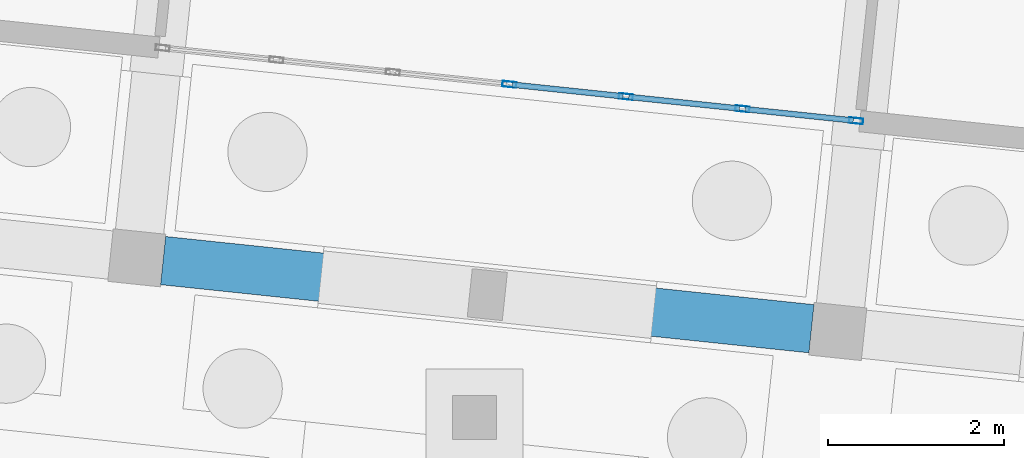
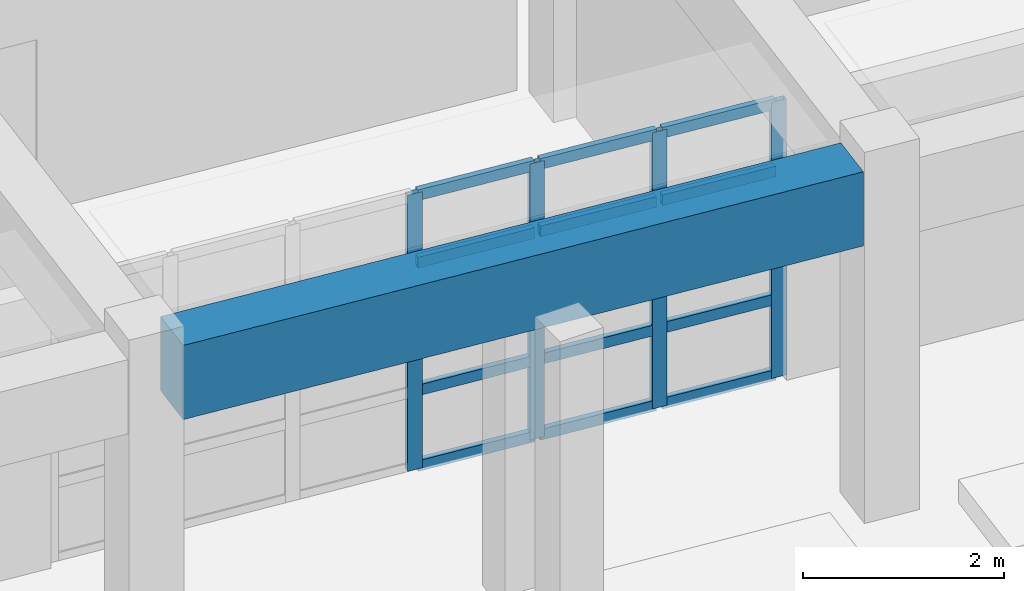
# One storey, part 76 of 154: 16 members, 1 beam, 1 element without a shape of its own.
"""IFC4 building model written with IfcOpenShell, lengths in metres."""

from ifc_helpers import new_model, si_unit, direction, frame, origin, origin_2d, place, context, subcontext, project, spatial, rectangle, hollow_rectangle, extrude, material, material_profile, profile_set, type_object, element, aggregate, save


model = new_model("IFC4")

# Units and contexts
model_context = context("Model", 3, precision=1e-05, world=origin(), true_north=direction((0.0, 1.0)))
body_context = subcontext(model_context, "Body", "Model", "MODEL_VIEW")
ifc_project = project(units=[si_unit("LENGTHUNIT", "METRE"), si_unit("AREAUNIT", "SQUARE_METRE"), si_unit("VOLUMEUNIT", "CUBIC_METRE"), si_unit("PLANEANGLEUNIT", "RADIAN"), si_unit("MASSUNIT", "GRAM", prefix="KILO")], contexts=[model_context])

# Site, building, storey
site_placement = place(None, origin())
site = spatial("IfcSite", under=ifc_project, at=site_placement, CompositionType="ELEMENT")
building_placement = place(site_placement, origin())
building = spatial("IfcBuilding", under=site, at=building_placement, Name="Kestramere Prow Commons", CompositionType="ELEMENT")
storey_placement = place(building_placement, origin())
storey = spatial("IfcBuildingStorey", under=building, at=storey_placement, Name="L00", CompositionType="ELEMENT", Elevation=0.0)

# Curtain wall, members
ifc_material_1 = material(Name="Anodised Aluminium and Low-E Glass", Category="aluminium")
curtain_wall_type = type_object("IfcCurtainWallType", Name="CW-05 Glazed Curtain Wall 7980x3350", PredefinedType="USERDEFINED", material=ifc_material_1)
curtain_wall_placement = place(storey_placement, origin())
curtain_wall = element("IfcCurtainWall", 1, at=curtain_wall_placement, inside=storey, type_object=curtain_wall_type, Name="Block B L00 South Colonnade Storefront 2", ObjectType="GLAZED CURTAIN WALL", PredefinedType="USERDEFINED")
ifc_material_2 = material(Name="Anodised Aluminium 6063-T6", Category="aluminium")
ifc_material_profile_1 = material_profile(ifc_material_2, hollow_rectangle(XDim=0.06494140625, YDim=0.159912109375, WallThickness=0.00390625, at=origin_2d()), Name="ALU-MUL 65x160")
ifc_profile_set_1 = profile_set([ifc_material_profile_1], Name="Anodised Aluminium 6063-T6")
member_type_1 = type_object("IfcMemberType", Name="CW-MUL-65x160", PredefinedType="MULLION", material=ifc_profile_set_1)
member_1_placement = place(storey_placement, frame((126.120849609375, 95.518798828125, 0.0), z_axis=(0.0, 0.0, 1.0), x_axis=(-0.104528579686, -0.994521883132, 0.0)))
member_1 = element("IfcMember", 2, at=member_1_placement, type_object=member_type_1, Name="CW-05 mullion 1", PredefinedType="MULLION", context=body_context, shape_type="SweptSolid", body=[
    extrude(hollow_rectangle(XDim=0.06494140625, YDim=0.159912109375, WallThickness=0.00390625, at=origin_2d()), origin(), (0.0, 0.0, 1.0), 3.35009765625),
])
member_2_placement = place(storey_placement, frame((124.83056640625, 95.654541015625, 0.0), z_axis=(0.0, 0.0, 1.0), x_axis=(-0.104528579686, -0.994521883132, 0.0)))
member_2 = element("IfcMember", 3, at=member_2_placement, type_object=member_type_1, Name="CW-05 mullion 2", PredefinedType="MULLION", context=body_context, shape_type="SweptSolid", body=[
    extrude(hollow_rectangle(XDim=0.06494140625, YDim=0.159912109375, WallThickness=0.00390625, at=origin_2d()), origin(), (0.0, 0.0, 1.0), 3.35009765625),
])
member_3_placement = place(storey_placement, frame((123.5078125, 95.79345703125, 0.0), z_axis=(0.0, 0.0, 1.0), x_axis=(-0.104528579686, -0.994521883132, 0.0)))
member_3 = element("IfcMember", 4, at=member_3_placement, type_object=member_type_1, Name="CW-05 mullion 3", PredefinedType="MULLION", context=body_context, shape_type="SweptSolid", body=[
    extrude(hollow_rectangle(XDim=0.06494140625, YDim=0.159912109375, WallThickness=0.00390625, at=origin_2d()), origin(), (0.0, 0.0, 1.0), 3.35009765625),
])
member_4_placement = place(storey_placement, frame((122.18505859375, 95.9326171875, 0.0), z_axis=(0.0, 0.0, 1.0), x_axis=(-0.104528579686, -0.994521883132, 0.0)))
member_4 = element("IfcMember", 5, at=member_4_placement, type_object=member_type_1, Name="CW-05 mullion 4", PredefinedType="MULLION", context=body_context, shape_type="SweptSolid", body=[
    extrude(hollow_rectangle(XDim=0.06494140625, YDim=0.159912109375, WallThickness=0.00390625, at=origin_2d()), origin(), (0.0, 0.0, 1.0), 3.35009765625),
])
ifc_material_profile_2 = material_profile(ifc_material_2, hollow_rectangle(XDim=0.06494140625, YDim=0.1298828125, WallThickness=0.00390625, at=origin_2d()), Name="ALU-TRN 65x130")
ifc_profile_set_2 = profile_set([ifc_material_profile_2], Name="Anodised Aluminium 6063-T6")
member_type_2 = type_object("IfcMemberType", Name="CW-TRN-65x130", PredefinedType="USERDEFINED", material=ifc_profile_set_2)
member_5_placement = place(storey_placement, frame((126.088623046875, 95.522216796875, 0.032470703125), z_axis=(-0.994516300802, 0.104581678316, 0.0), x_axis=(-0.104581678316, -0.994516300802, 0.0)))
member_5 = element("IfcMember", 6, at=member_5_placement, type_object=member_type_2, Name="CW-05 transom 1.1", ObjectType="TRANSOM", PredefinedType="USERDEFINED", context=body_context, shape_type="SweptSolid", body=[
    extrude(hollow_rectangle(XDim=0.06494140625, YDim=0.1298828125, WallThickness=0.00390625, at=origin_2d()), origin(), (0.0, 0.0, 1.0), 1.232666015625),
])
member_6_placement = place(storey_placement, frame((126.088623046875, 95.522216796875, 0.949951171875), z_axis=(-0.994516300802, 0.104581678316, 0.0), x_axis=(-0.104581678316, -0.994516300802, 0.0)))
member_6 = element("IfcMember", 7, at=member_6_placement, type_object=member_type_2, Name="CW-05 transom 1.2", ObjectType="TRANSOM", PredefinedType="USERDEFINED", context=body_context, shape_type="SweptSolid", body=[
    extrude(hollow_rectangle(XDim=0.06494140625, YDim=0.1298828125, WallThickness=0.00390625, at=origin_2d()), origin(), (0.0, 0.0, 1.0), 1.232666015625),
])
member_7_placement = place(storey_placement, frame((126.088623046875, 95.522216796875, 2.5), z_axis=(-0.994516300802, 0.104581678316, 0.0), x_axis=(-0.104581678316, -0.994516300802, 0.0)))
member_7 = element("IfcMember", 8, at=member_7_placement, type_object=member_type_2, Name="CW-05 transom 1.3", ObjectType="TRANSOM", PredefinedType="USERDEFINED", context=body_context, shape_type="SweptSolid", body=[
    extrude(hollow_rectangle(XDim=0.06494140625, YDim=0.1298828125, WallThickness=0.00390625, at=origin_2d()), origin(), (0.0, 0.0, 1.0), 1.232666015625),
])
member_8_placement = place(storey_placement, frame((126.088623046875, 95.522216796875, 3.3173828125), z_axis=(-0.994516300802, 0.104581678316, 0.0), x_axis=(-0.104581678316, -0.994516300802, 0.0)))
member_8 = element("IfcMember", 9, at=member_8_placement, type_object=member_type_2, Name="CW-05 transom 1.4", ObjectType="TRANSOM", PredefinedType="USERDEFINED", context=body_context, shape_type="SweptSolid", body=[
    extrude(hollow_rectangle(XDim=0.06494140625, YDim=0.1298828125, WallThickness=0.00390625, at=origin_2d()), origin(), (0.0, 0.0, 1.0), 1.232666015625),
])
member_9_placement = place(storey_placement, frame((124.79833984375, 95.657958984375, 0.032470703125), z_axis=(-0.994533969495, 0.104413521734, 0.0), x_axis=(-0.104413521734, -0.994533969495, 0.0)))
member_9 = element("IfcMember", 10, at=member_9_placement, type_object=member_type_2, Name="CW-05 transom 2.1", ObjectType="TRANSOM", PredefinedType="USERDEFINED", context=body_context, shape_type="SweptSolid", body=[
    extrude(hollow_rectangle(XDim=0.06494140625, YDim=0.1298828125, WallThickness=0.00390625, at=origin_2d()), origin(), (0.0, 0.0, 1.0), 1.264892578125),
])
member_10_placement = place(storey_placement, frame((124.79833984375, 95.657958984375, 0.949951171875), z_axis=(-0.994533969495, 0.104413521734, 0.0), x_axis=(-0.104413521734, -0.994533969495, 0.0)))
member_10 = element("IfcMember", 11, at=member_10_placement, type_object=member_type_2, Name="CW-05 transom 2.2", ObjectType="TRANSOM", PredefinedType="USERDEFINED", context=body_context, shape_type="SweptSolid", body=[
    extrude(hollow_rectangle(XDim=0.06494140625, YDim=0.1298828125, WallThickness=0.00390625, at=origin_2d()), origin(), (0.0, 0.0, 1.0), 1.264892578125),
])
member_11_placement = place(storey_placement, frame((124.79833984375, 95.657958984375, 2.5), z_axis=(-0.994533969495, 0.104413521734, 0.0), x_axis=(-0.104413521734, -0.994533969495, 0.0)))
member_11 = element("IfcMember", 12, at=member_11_placement, type_object=member_type_2, Name="CW-05 transom 2.3", ObjectType="TRANSOM", PredefinedType="USERDEFINED", context=body_context, shape_type="SweptSolid", body=[
    extrude(hollow_rectangle(XDim=0.06494140625, YDim=0.1298828125, WallThickness=0.00390625, at=origin_2d()), origin(), (0.0, 0.0, 1.0), 1.264892578125),
])
member_12_placement = place(storey_placement, frame((124.79833984375, 95.657958984375, 3.3173828125), z_axis=(-0.994533969495, 0.104413521734, 0.0), x_axis=(-0.104413521734, -0.994533969495, 0.0)))
member_12 = element("IfcMember", 13, at=member_12_placement, type_object=member_type_2, Name="CW-05 transom 2.4", ObjectType="TRANSOM", PredefinedType="USERDEFINED", context=body_context, shape_type="SweptSolid", body=[
    extrude(hollow_rectangle(XDim=0.06494140625, YDim=0.1298828125, WallThickness=0.00390625, at=origin_2d()), origin(), (0.0, 0.0, 1.0), 1.264892578125),
])
member_13_placement = place(storey_placement, frame((123.4755859375, 95.796875, 0.032470703125), z_axis=(-0.994513909819, 0.104604412793, 0.0), x_axis=(-0.104604412793, -0.994513909819, 0.0)))
member_13 = element("IfcMember", 14, at=member_13_placement, type_object=member_type_2, Name="CW-05 transom 3.1", ObjectType="TRANSOM", PredefinedType="USERDEFINED", context=body_context, shape_type="SweptSolid", body=[
    extrude(hollow_rectangle(XDim=0.06494140625, YDim=0.1298828125, WallThickness=0.00390625, at=origin_2d()), origin(), (0.0, 0.0, 1.0), 1.264892578125),
])
member_14_placement = place(storey_placement, frame((123.4755859375, 95.796875, 0.949951171875), z_axis=(-0.994513909819, 0.104604412793, 0.0), x_axis=(-0.104604412793, -0.994513909819, 0.0)))
member_14 = element("IfcMember", 15, at=member_14_placement, type_object=member_type_2, Name="CW-05 transom 3.2", ObjectType="TRANSOM", PredefinedType="USERDEFINED", context=body_context, shape_type="SweptSolid", body=[
    extrude(hollow_rectangle(XDim=0.06494140625, YDim=0.1298828125, WallThickness=0.00390625, at=origin_2d()), origin(), (0.0, 0.0, 1.0), 1.264892578125),
])
member_15_placement = place(storey_placement, frame((123.4755859375, 95.796875, 2.5), z_axis=(-0.994513909819, 0.104604412793, 0.0), x_axis=(-0.104604412793, -0.994513909819, 0.0)))
member_15 = element("IfcMember", 16, at=member_15_placement, type_object=member_type_2, Name="CW-05 transom 3.3", ObjectType="TRANSOM", PredefinedType="USERDEFINED", context=body_context, shape_type="SweptSolid", body=[
    extrude(hollow_rectangle(XDim=0.06494140625, YDim=0.1298828125, WallThickness=0.00390625, at=origin_2d()), origin(), (0.0, 0.0, 1.0), 1.264892578125),
])
member_16_placement = place(storey_placement, frame((123.4755859375, 95.796875, 3.3173828125), z_axis=(-0.994513909819, 0.104604412793, 0.0), x_axis=(-0.104604412793, -0.994513909819, 0.0)))
member_16 = element("IfcMember", 17, at=member_16_placement, type_object=member_type_2, Name="CW-05 transom 3.4", ObjectType="TRANSOM", PredefinedType="USERDEFINED", context=body_context, shape_type="SweptSolid", body=[
    extrude(hollow_rectangle(XDim=0.06494140625, YDim=0.1298828125, WallThickness=0.00390625, at=origin_2d()), origin(), (0.0, 0.0, 1.0), 1.264892578125),
])
aggregate(curtain_wall, [member_1, member_2, member_3, member_4, member_5, member_6, member_7, member_8, member_9, member_10, member_11, member_12, member_13, member_14, member_15, member_16])

# Beam
ifc_material_3 = material(Name="Precast concrete C40/50", Category="concrete")
ifc_material_profile_3 = material_profile(ifc_material_3, rectangle(XDim=0.550048828125, YDim=0.89990234375, at=origin_2d()), Name="PC-TG 550x900")
ifc_profile_set_3 = profile_set([ifc_material_profile_3], Name="Precast concrete C40/50")
beam_type = type_object("IfcBeamType", Name="TG-01 PC-TG 550x900 (EX)", PredefinedType="BEAM", material=ifc_profile_set_3)
beam_placement = place(storey_placement, frame((118.254638671875, 93.932373046875, 3.800048828125), z_axis=(0.994522794159, -0.104519911488, 0.0), x_axis=(0.104519911488, 0.994522794159, 0.0)))
element("IfcBeam", 18, at=beam_placement, inside=storey, type_object=beam_type, Name="Block B L00 Longitudinal Beam 1-2", PredefinedType="BEAM", context=body_context, shape_type="SweptSolid", body=[
    extrude(rectangle(XDim=0.550048828125, YDim=0.89990234375, at=origin_2d()), origin(), (0.0, 0.0, 1.0), 7.39990234375),
])

save(model, "model.ifc")
